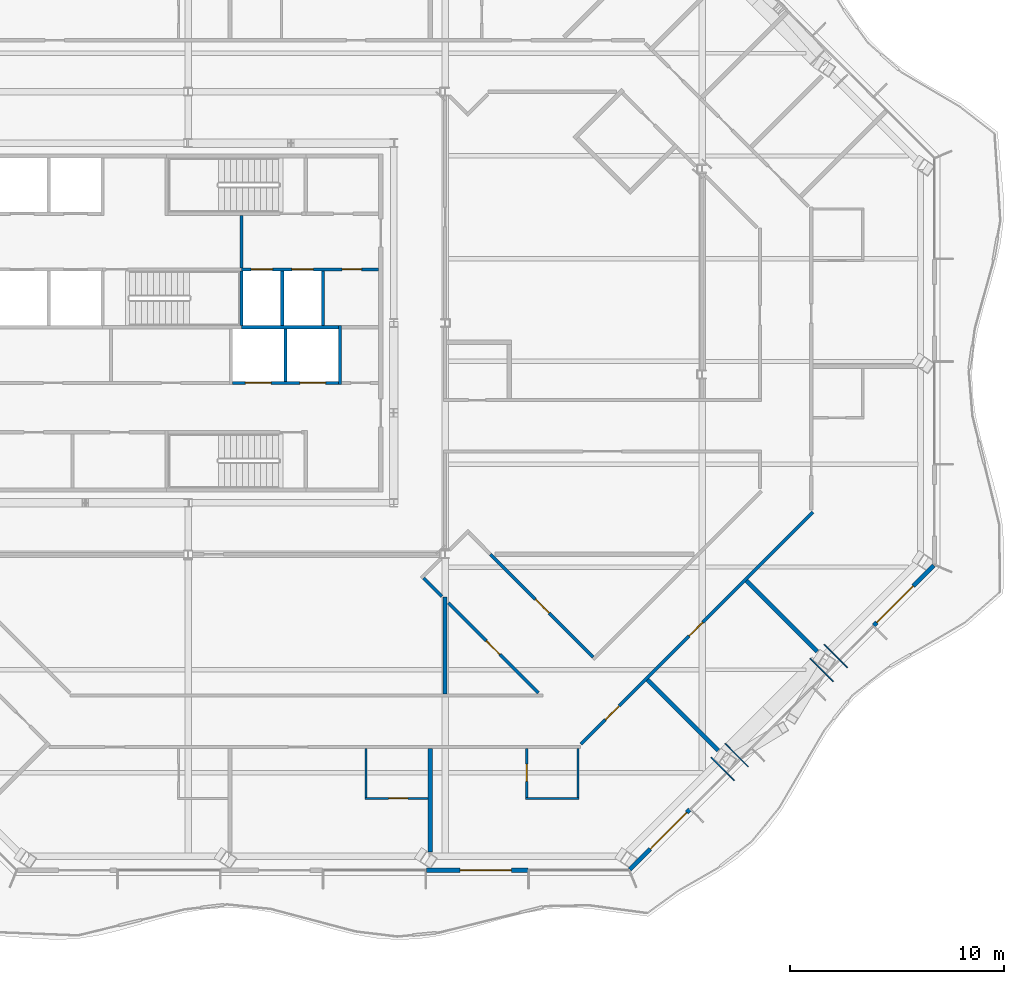
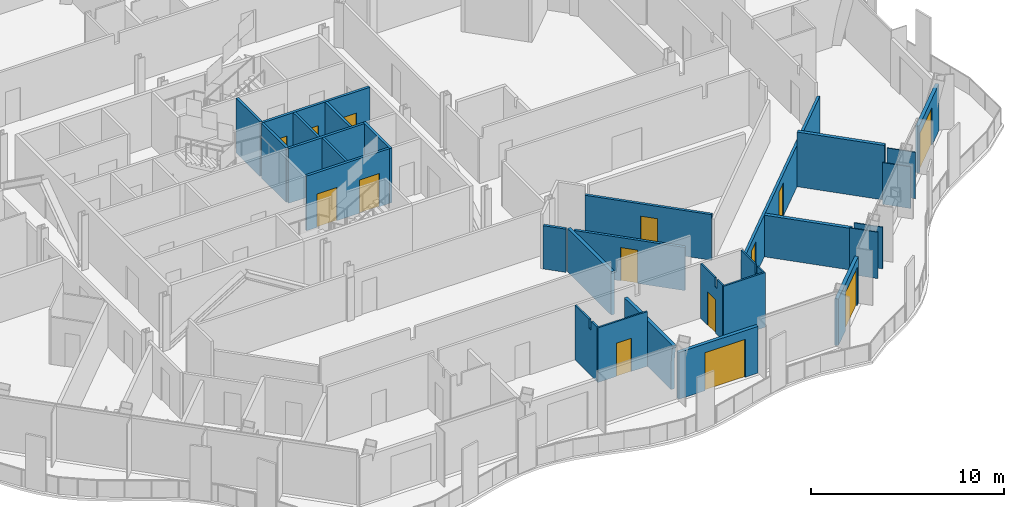
# One storey, part 10 of 19: 29 walls, 14 doors, 14 openings.
"""IFC4 building model written with IfcOpenShell, lengths in metres."""

from ifc_helpers import new_model, si_unit, direction, frame, frame_2d, origin, place, context, subcontext, project, spatial, polyline, rectangle, outline, extrude, material, layer, layer_set, type_object, element, fill, save


model = new_model("IFC4")

# Units and contexts
model_context = context("Model", 3, precision=1e-05, world=origin(), true_north=direction((0.0, 1.0)))
body_context = subcontext(model_context, "Body", "Model", "MODEL_VIEW")
ifc_project = project(units=[si_unit("LENGTHUNIT", "METRE"), si_unit("AREAUNIT", "SQUARE_METRE"), si_unit("VOLUMEUNIT", "CUBIC_METRE"), si_unit("PLANEANGLEUNIT", "RADIAN"), si_unit("MASSUNIT", "GRAM", prefix="KILO")], contexts=[model_context])

# Site, building, storey
site_placement = place(None, origin())
site = spatial("IfcSite", under=ifc_project, at=site_placement, CompositionType="ELEMENT")
building_placement = place(site_placement, origin())
building = spatial("IfcBuilding", under=site, at=building_placement, Name="Cairn Pilgrim Tower", CompositionType="ELEMENT")
storey_placement = place(building_placement, frame((0.0, 0.0, 193.800048828125)))
storey = spatial("IfcBuildingStorey", under=building, at=storey_placement, Name="L49", CompositionType="ELEMENT", Elevation=193.800048828125)

# Wall, opening, door
ifc_material_1 = material(Name="Bronze anodised aluminium insulated sandwich panel with mineral wool fill", Category="aluminium")
ifc_layer_1 = layer(ifc_material_1, 0.199951171875)
ifc_layer_set_1 = layer_set([ifc_layer_1], Name="BRONZE INFILL FRAME WALL 200")
wall_type_1 = type_object("IfcWallType", Name="BRONZE INFILL FRAME WALL 200", PredefinedType="NOTDEFINED", material=ifc_layer_set_1)
wall_1_placement = place(storey_placement, frame((18.330078125, -23.14990234375, 0.0), z_axis=(0.0, 0.0, 1.0), x_axis=(1.0, 0.0, 0.0)))
wall_1 = element("IfcWall", 1, at=wall_1_placement, inside=storey, type_object=wall_type_1, Name="Bronze infill frame wall IW-S5", PredefinedType="NOTDEFINED", context=body_context, shape_type="SweptSolid", body=[
    extrude(rectangle(XDim=4.739990234375, YDim=0.199951171875, at=frame_2d((2.3701171875, 0.0))), origin(), (0.0, 0.0, 1.0), 2.949951171875),
])
opening_1_placement = place(wall_1_placement, frame((1.5703125, 0.0, 0.0)))
opening_1 = element("IfcOpeningElement", 2, at=opening_1_placement, cuts=wall_1, Name="Opening 4902B", PredefinedType="OPENING", context=body_context, shape_type="SweptSolid", body=[
    extrude(rectangle(XDim=2.39990234375, YDim=2.39990234375, at=frame_2d((1.199951171875, 1.199951171875))), frame((0.0, 0.10986328125, 0.0), z_axis=(0.0, -1.0, 0.0), x_axis=(1.0, 0.0, 0.0)), (0.0, 0.0, 1.0), 0.219970703125),
])
ifc_material_2 = material(Name="Bronze anodised aluminium frame with tinted low-E glass", Category="aluminium")
door_type_1 = type_object("IfcDoorType", Name="BALCONY SLIDING DOOR 2400x2400", OperationType="DOUBLE_DOOR_SLIDING", PredefinedType="DOOR", material=ifc_material_2)
door_1_placement = place(opening_1_placement, origin())
door_1 = element("IfcDoor", 3, at=door_1_placement, inside=storey, type_object=door_type_1, Name="Balcony sliding door 4902B", OperationType="SINGLE_SWING_LEFT", OverallHeight=2.39990234375, OverallWidth=2.39990234375, PredefinedType="DOOR", context=body_context, shape_type="SweptSolid", body=[
    extrude(rectangle(XDim=2.39990234375, YDim=2.39990234375, at=frame_2d((1.199951171875, 1.199951171875))), frame((0.0, 0.02490234375, 0.0), z_axis=(0.0, -1.0, 0.0), x_axis=(1.0, 0.0, 0.0)), (0.0, 0.0, 1.0), 0.050048828125),
])
fill(opening_1, door_1)

wall_2_placement = place(storey_placement, frame((27.82470703125, -23.121826171875, 0.0), z_axis=(0.0, 0.0, 1.0), x_axis=(0.707106781187, 0.707106781187, 0.0)))
wall_2 = element("IfcWall", 4, at=wall_2_placement, inside=storey, type_object=wall_type_1, Name="Bronze infill frame wall IW-SE1", PredefinedType="NOTDEFINED", context=body_context, shape_type="SweptSolid", body=[
    extrude(rectangle(XDim=3.961669921875, YDim=0.199951171875, at=frame_2d((1.98095703125, 0.0))), origin(), (0.0, 0.0, 1.0), 2.949951171875),
])
opening_2_placement = place(wall_2_placement, frame((1.361572265625, 0.0, 0.0)))
opening_2 = element("IfcOpeningElement", 5, at=opening_2_placement, cuts=wall_2, Name="Opening 4902B2", PredefinedType="OPENING", context=body_context, shape_type="SweptSolid", body=[
    extrude(rectangle(XDim=2.39990234375, YDim=2.39990234375, at=frame_2d((1.199951171875, 1.199951171875))), frame((0.0, 0.10986328125, 0.0), z_axis=(0.0, -1.0, 0.0), x_axis=(1.0, 0.0, 0.0)), (0.0, 0.0, 1.0), 0.219970703125),
])
door_2_placement = place(opening_2_placement, origin())
door_2 = element("IfcDoor", 6, at=door_2_placement, inside=storey, type_object=door_type_1, Name="Balcony sliding door 4902B2", OperationType="SINGLE_SWING_LEFT", OverallHeight=2.39990234375, OverallWidth=2.39990234375, PredefinedType="DOOR", context=body_context, shape_type="SweptSolid", body=[
    extrude(rectangle(XDim=2.39990234375, YDim=2.39990234375, at=frame_2d((1.199951171875, 1.199951171875))), frame((0.0, 0.02490234375, 0.0), z_axis=(0.0, -1.0, 0.0), x_axis=(1.0, 0.0, 0.0)), (0.0, 0.0, 1.0), 0.050048828125),
])
fill(opening_2, door_2)

wall_3_placement = place(storey_placement, frame((39.220458984375, -11.725830078125, 0.0), z_axis=(0.0, 0.0, 1.0), x_axis=(0.707137595296, 0.707075965734, 0.0)))
wall_3 = element("IfcWall", 7, at=wall_3_placement, inside=storey, type_object=wall_type_1, Name="Bronze infill frame wall IW-SE5", PredefinedType="NOTDEFINED", context=body_context, shape_type="SweptSolid", body=[
    extrude(rectangle(XDim=3.96142578125, YDim=0.199951171875, at=frame_2d((1.980712890625, 0.0))), origin(), (0.0, 0.0, 1.0), 2.949951171875),
])
opening_3_placement = place(wall_3_placement, frame((0.199951171875, 0.0, 0.0)))
opening_3 = element("IfcOpeningElement", 8, at=opening_3_placement, cuts=wall_3, Name="Opening 4904B", PredefinedType="OPENING", context=body_context, shape_type="SweptSolid", body=[
    extrude(rectangle(XDim=2.39990234375, YDim=2.39990234375, at=frame_2d((1.199951171875, 1.199951171875))), frame((0.0, 0.10986328125, 0.0), z_axis=(0.0, -1.0, 0.0), x_axis=(1.0, 0.0, 0.0)), (0.0, 0.0, 1.0), 0.219970703125),
])
door_3_placement = place(opening_3_placement, origin())
door_3 = element("IfcDoor", 9, at=door_3_placement, inside=storey, type_object=door_type_1, Name="Balcony sliding door 4904B", OperationType="SINGLE_SWING_LEFT", OverallHeight=2.39990234375, OverallWidth=2.39990234375, PredefinedType="DOOR", context=body_context, shape_type="SweptSolid", body=[
    extrude(rectangle(XDim=2.39990234375, YDim=2.39990234375, at=frame_2d((1.199951171875, 1.199951171875))), frame((0.0, 0.02490234375, 0.0), z_axis=(0.0, -1.0, 0.0), x_axis=(1.0, 0.0, 0.0)), (0.0, 0.0, 1.0), 0.050048828125),
])
fill(opening_3, door_3)

# Wall, openings, doors
ifc_material_3 = material(Name="Concrete C32/40", Category="concrete")
ifc_layer_2 = layer(ifc_material_3, 0.14990234375)
ifc_layer_set_2 = layer_set([ifc_layer_2], Name="CORE SHAFT WALL 150 EI 120")
wall_type_2 = type_object("IfcWallType", Name="CORE SHAFT WALL 150 EI 120", PredefinedType="SOLIDWALL", material=ifc_layer_set_2)
wall_4_placement = place(storey_placement, frame((9.27490234375, -0.39990234375, 0.0), z_axis=(0.0, 0.0, 1.0), x_axis=(1.0, 0.0, 0.0)))
wall_4 = element("IfcWall", 10, at=wall_4_placement, inside=storey, type_object=wall_type_2, Name="CW:L49:H05", PredefinedType="SOLIDWALL", context=body_context, shape_type="SweptSolid", body=[
    extrude(rectangle(XDim=4.9501953125, YDim=0.14990234375, at=frame_2d((2.47509765625, 0.0))), origin(), (0.0, 0.0, 1.0), 3.449951171875),
])
opening_4_placement = place(wall_4_placement, frame((0.60009765625, 0.0, 0.0)))
opening_4 = element("IfcOpeningElement", 11, at=opening_4_placement, cuts=wall_4, Name="Opening LD-SV1", PredefinedType="OPENING", context=body_context, shape_type="SweptSolid", body=[
    extrude(rectangle(XDim=1.199951171875, YDim=2.10009765625, at=frame_2d((0.60009765625, 1.050048828125))), frame((0.0, 0.0849609375, 0.0), z_axis=(0.0, -1.0, 0.0), x_axis=(1.0, 0.0, 0.0)), (0.0, 0.0, 1.0), 0.169921875),
])
opening_5_placement = place(wall_4_placement, frame((3.14990234375, 0.0, 0.0)))
opening_5 = element("IfcOpeningElement", 12, at=opening_5_placement, cuts=wall_4, Name="Opening LD-SV2", PredefinedType="OPENING", context=body_context, shape_type="SweptSolid", body=[
    extrude(rectangle(XDim=1.199951171875, YDim=2.10009765625, at=frame_2d((0.60009765625, 1.050048828125))), frame((0.0, 0.0849609375, 0.0), z_axis=(0.0, -1.0, 0.0), x_axis=(1.0, 0.0, 0.0)), (0.0, 0.0, 1.0), 0.169921875),
])
ifc_material_4 = material(Name="Stainless steel", Category="steel")
door_type_2 = type_object("IfcDoorType", Name="LIFT LANDING DOOR 1200x2100", OperationType="DOUBLE_DOOR_SLIDING", PredefinedType="DOOR", material=ifc_material_4)
door_4_placement = place(opening_4_placement, origin())
door_4 = element("IfcDoor", 13, at=door_4_placement, inside=storey, type_object=door_type_2, Name="LANDING DOOR SV1", OperationType="DOUBLE_DOOR_SLIDING", OverallHeight=2.10009765625, OverallWidth=1.199951171875, PredefinedType="DOOR", context=body_context, shape_type="SweptSolid", body=[
    extrude(rectangle(XDim=1.199951171875, YDim=2.10009765625, at=frame_2d((0.60009765625, 1.050048828125))), frame((0.0, 0.02490234375, 0.0), z_axis=(0.0, -1.0, 0.0), x_axis=(1.0, 0.0, 0.0)), (0.0, 0.0, 1.0), 0.050048828125),
])
fill(opening_4, door_4)
door_5_placement = place(opening_5_placement, origin())
door_5 = element("IfcDoor", 14, at=door_5_placement, inside=storey, type_object=door_type_2, Name="LANDING DOOR SV2", OperationType="DOUBLE_DOOR_SLIDING", OverallHeight=2.10009765625, OverallWidth=1.199951171875, PredefinedType="DOOR", context=body_context, shape_type="SweptSolid", body=[
    extrude(rectangle(XDim=1.199951171875, YDim=2.10009765625, at=frame_2d((0.60009765625, 1.050048828125))), frame((0.0, 0.02490234375, 0.0), z_axis=(0.0, -1.0, 0.0), x_axis=(1.0, 0.0, 0.0)), (0.0, 0.0, 1.0), 0.050048828125),
])
fill(opening_5, door_5)

# Wall
wall_5_placement = place(storey_placement, frame((9.699951171875, 2.199951171875, 0.0), z_axis=(0.0, 0.0, 1.0), x_axis=(1.0, 0.0, 0.0)))
element("IfcWall", 15, at=wall_5_placement, inside=storey, type_object=wall_type_2, Name="CW:L49:H07-3", PredefinedType="SOLIDWALL", context=body_context, shape_type="SweptSolid", body=[
    extrude(rectangle(XDim=4.525146484375, YDim=0.14990234375, at=frame_2d((2.2626953125, 0.0))), origin(), (0.0, 0.0, 1.0), 3.449951171875),
])

# Wall, openings, doors
wall_6_placement = place(storey_placement, frame((9.699951171875, 4.89990234375, 0.0), z_axis=(0.0, 0.0, 1.0), x_axis=(1.0, 0.0, 0.0)))
wall_6 = element("IfcWall", 16, at=wall_6_placement, inside=storey, type_object=wall_type_2, Name="CW:L49:H09-3", PredefinedType="SOLIDWALL", context=body_context, shape_type="SweptSolid", body=[
    extrude(rectangle(XDim=6.400146484375, YDim=0.14990234375, at=frame_2d((3.2001953125, 0.0))), origin(), (0.0, 0.0, 1.0), 3.449951171875),
])
opening_6_placement = place(wall_6_placement, frame((0.449951171875, 0.0, 0.0)))
opening_6 = element("IfcOpeningElement", 17, at=opening_6_placement, cuts=wall_6, Name="Opening LD-FF1", PredefinedType="OPENING", context=body_context, shape_type="SweptSolid", body=[
    extrude(rectangle(XDim=1.0, YDim=2.10009765625, at=frame_2d((0.5, 1.050048828125))), frame((0.0, 0.0849609375, 0.0), z_axis=(0.0, -1.0, 0.0), x_axis=(1.0, 0.0, 0.0)), (0.0, 0.0, 1.0), 0.169921875),
])
opening_7_placement = place(wall_6_placement, frame((2.35009765625, 0.0, 0.0)))
opening_7 = element("IfcOpeningElement", 18, at=opening_7_placement, cuts=wall_6, Name="Opening LD-FF2", PredefinedType="OPENING", context=body_context, shape_type="SweptSolid", body=[
    extrude(rectangle(XDim=1.0, YDim=2.10009765625, at=frame_2d((0.5, 1.050048828125))), frame((0.0, 0.0849609375, 0.0), z_axis=(0.0, -1.0, 0.0), x_axis=(1.0, 0.0, 0.0)), (0.0, 0.0, 1.0), 0.169921875),
])
opening_8_placement = place(wall_6_placement, frame((4.699951171875, 0.0, 0.0)))
opening_8 = element("IfcOpeningElement", 19, at=opening_8_placement, cuts=wall_6, Name="Opening RD-R3E", PredefinedType="OPENING", context=body_context, shape_type="SweptSolid", body=[
    extrude(rectangle(XDim=0.89990234375, YDim=2.10009765625, at=frame_2d((0.449951171875, 1.050048828125))), frame((0.0, 0.0849609375, 0.0), z_axis=(0.0, -1.0, 0.0), x_axis=(1.0, 0.0, 0.0)), (0.0, 0.0, 1.0), 0.169921875),
])
door_type_3 = type_object("IfcDoorType", Name="LIFT LANDING DOOR FIRE 1000x2100", OperationType="DOUBLE_DOOR_SLIDING", PredefinedType="DOOR", material=ifc_material_4)
door_6_placement = place(opening_6_placement, origin())
door_6 = element("IfcDoor", 20, at=door_6_placement, inside=storey, type_object=door_type_3, Name="LANDING DOOR FF1", OperationType="DOUBLE_DOOR_SLIDING", OverallHeight=2.10009765625, OverallWidth=1.0, PredefinedType="DOOR", context=body_context, shape_type="SweptSolid", body=[
    extrude(rectangle(XDim=1.0, YDim=2.10009765625, at=frame_2d((0.5, 1.050048828125))), frame((0.0, 0.02490234375, 0.0), z_axis=(0.0, -1.0, 0.0), x_axis=(1.0, 0.0, 0.0)), (0.0, 0.0, 1.0), 0.050048828125),
])
fill(opening_6, door_6)
door_7_placement = place(opening_7_placement, origin())
door_7 = element("IfcDoor", 21, at=door_7_placement, inside=storey, type_object=door_type_3, Name="LANDING DOOR FF2", OperationType="DOUBLE_DOOR_SLIDING", OverallHeight=2.10009765625, OverallWidth=1.0, PredefinedType="DOOR", context=body_context, shape_type="SweptSolid", body=[
    extrude(rectangle(XDim=1.0, YDim=2.10009765625, at=frame_2d((0.5, 1.050048828125))), frame((0.0, 0.02490234375, 0.0), z_axis=(0.0, -1.0, 0.0), x_axis=(1.0, 0.0, 0.0)), (0.0, 0.0, 1.0), 0.050048828125),
])
fill(opening_7, door_7)
ifc_material_5 = material(Name="Painted steel", Category="steel")
door_type_4 = type_object("IfcDoorType", Name="SERVICE ROOM DOOR 900x2100", OperationType="SINGLE_SWING_LEFT", PredefinedType="DOOR", material=ifc_material_5)
door_8_placement = place(opening_8_placement, origin())
door_8 = element("IfcDoor", 22, at=door_8_placement, inside=storey, type_object=door_type_4, Name="RD-R3E", OperationType="SINGLE_SWING_LEFT", OverallHeight=2.10009765625, OverallWidth=0.89990234375, PredefinedType="DOOR", context=body_context, shape_type="SweptSolid", body=[
    extrude(rectangle(XDim=0.89990234375, YDim=2.10009765625, at=frame_2d((0.449951171875, 1.050048828125))), frame((0.0, 0.02490234375, 0.0), z_axis=(0.0, -1.0, 0.0), x_axis=(1.0, 0.0, 0.0)), (0.0, 0.0, 1.0), 0.050048828125),
])
fill(opening_8, door_8)

# Walls
wall_7_placement = place(storey_placement, frame((9.699951171875, 4.97509765625, 0.0), z_axis=(0.0, 0.0, 1.0), x_axis=(0.0, 1.0, 0.0)))
element("IfcWall", 23, at=wall_7_placement, inside=storey, type_object=wall_type_2, Name="CW:L49:V24", PredefinedType="SOLIDWALL", context=body_context, shape_type="SweptSolid", body=[
    extrude(rectangle(XDim=2.449951171875, YDim=0.14990234375, at=frame_2d((1.22509765625, 0.0))), origin(), (0.0, 0.0, 1.0), 3.449951171875),
])
wall_8_placement = place(storey_placement, frame((11.60009765625, 2.27490234375, 0.0), z_axis=(0.0, 0.0, 1.0), x_axis=(0.0, 1.0, 0.0)))
element("IfcWall", 24, at=wall_8_placement, inside=storey, type_object=wall_type_2, Name="CW:L49:V25", PredefinedType="SOLIDWALL", context=body_context, shape_type="SweptSolid", body=[
    extrude(rectangle(XDim=2.550048828125, YDim=0.14990234375, at=frame_2d((1.27490234375, 0.0))), origin(), (0.0, 0.0, 1.0), 3.449951171875),
])
wall_9_placement = place(storey_placement, frame((11.75, -0.324951171875, 0.0), z_axis=(0.0, 0.0, 1.0), x_axis=(0.0, 1.0, 0.0)))
element("IfcWall", 25, at=wall_9_placement, inside=storey, type_object=wall_type_2, Name="CW:L49:V26", PredefinedType="SOLIDWALL", context=body_context, shape_type="SweptSolid", body=[
    extrude(rectangle(XDim=2.449951171875, YDim=0.14990234375, at=frame_2d((1.22509765625, 0.0))), origin(), (0.0, 0.0, 1.0), 3.449951171875),
])
wall_10_placement = place(storey_placement, frame((13.5, 2.27490234375, 0.0), z_axis=(0.0, 0.0, 1.0), x_axis=(0.0, 1.0, 0.0)))
element("IfcWall", 26, at=wall_10_placement, inside=storey, type_object=wall_type_2, Name="CW:L49:V29", PredefinedType="SOLIDWALL", context=body_context, shape_type="SweptSolid", body=[
    extrude(rectangle(XDim=2.550048828125, YDim=0.14990234375, at=frame_2d((1.27490234375, 0.0))), origin(), (0.0, 0.0, 1.0), 3.449951171875),
])
wall_11_placement = place(storey_placement, frame((14.300048828125, -0.47509765625, 0.0), z_axis=(0.0, 0.0, 1.0), x_axis=(0.0, 1.0, 0.0)))
element("IfcWall", 27, at=wall_11_placement, inside=storey, type_object=wall_type_2, Name="CW:L49:V30", PredefinedType="SOLIDWALL", context=body_context, shape_type="SweptSolid", body=[
    extrude(rectangle(XDim=2.75, YDim=0.14990234375, at=frame_2d((1.375, 0.0))), origin(), (0.0, 0.0, 1.0), 3.449951171875),
])

# Wall, opening, door
ifc_material_6 = material(Name="Gypsum partition")
ifc_layer_3 = layer(ifc_material_6, 0.10009765625)
ifc_layer_set_3 = layer_set([ifc_layer_3], Name="PARTITION 100 DRYWALL")
wall_type_3 = type_object("IfcWallType", Name="PARTITION 100 DRYWALL", PredefinedType="PARTITIONING", material=ifc_layer_set_3)
wall_12_placement = place(storey_placement, frame((15.462890625, -19.800048828125, 0.0), z_axis=(0.0, 0.0, 1.0), x_axis=(1.0, 0.0, 0.0)))
wall_12 = element("IfcWall", 28, at=wall_12_placement, inside=storey, type_object=wall_type_3, Name="PARTITION W006", PredefinedType="PARTITIONING", context=body_context, shape_type="SweptSolid", body=[
    extrude(rectangle(XDim=2.9501953125, YDim=0.10009765625, at=frame_2d((1.47509765625, 0.0))), origin(), (0.0, 0.0, 1.0), 3.449951171875),
])
opening_9_placement = place(wall_12_placement, frame((1.10009765625, 0.0, 0.0)))
opening_9 = element("IfcOpeningElement", 29, at=opening_9_placement, cuts=wall_12, Name="Opening 4901A", PredefinedType="OPENING", context=body_context, shape_type="SweptSolid", body=[
    extrude(rectangle(XDim=0.89990234375, YDim=2.10009765625, at=frame_2d((0.449951171875, 1.050048828125))), frame((0.0, 0.06005859375, 0.0), z_axis=(0.0, -1.0, 0.0), x_axis=(1.0, 0.0, 0.0)), (0.0, 0.0, 1.0), 0.1201171875),
])
ifc_material_7 = material(Name="Timber door leaf", Category="wood")
door_type_5 = type_object("IfcDoorType", Name="WC DOOR 900x2100", OperationType="NOTDEFINED", PredefinedType="DOOR", material=ifc_material_7)
door_9_placement = place(opening_9_placement, frame((0.89990234375, 0.0, 0.0), z_axis=(0.0, 0.0, 1.0), x_axis=(-1.0, 0.0, 0.0)))
door_9 = element("IfcDoor", 30, at=door_9_placement, inside=storey, type_object=door_type_5, Name="DOOR 4901A", OperationType="SINGLE_SWING_RIGHT", OverallHeight=2.10009765625, OverallWidth=0.89990234375, PredefinedType="DOOR", context=body_context, shape_type="SweptSolid", body=[
    extrude(rectangle(XDim=0.89990234375, YDim=2.10009765625, at=frame_2d((0.449951171875, 1.050048828125))), frame((0.0, 0.02490234375, 0.0), z_axis=(0.0, -1.0, 0.0), x_axis=(1.0, 0.0, 0.0)), (0.0, 0.0, 1.0), 0.050048828125),
])
fill(opening_9, door_9)

# Walls
wall_13_placement = place(storey_placement, frame((15.512939453125, -19.75, 0.0), z_axis=(0.0, 0.0, 1.0), x_axis=(0.0, 1.0, 0.0)))
element("IfcWall", 31, at=wall_13_placement, inside=storey, type_object=wall_type_3, Name="PARTITION W007", PredefinedType="PARTITIONING", context=body_context, shape_type="SweptSolid", body=[
    extrude(outline(polyline([(0.0, 0.0), (2.27490234375, 0.0), (2.27490234375, 3.449951171875), (0.804931640625, 3.449951171875), (0.802978515625, 2.8798828125), (0.594970703125, 2.8798828125), (0.593017578125, 3.449951171875), (0.0, 3.449951171875), (0.0, 0.0)])), frame((0.0, 0.050048828125, 0.0), z_axis=(0.0, -1.0, 0.0), x_axis=(1.0, 0.0, 0.0)), (0.0, 0.0, 1.0), 0.10009765625),
])
wall_14_placement = place(storey_placement, frame((22.965087890625, -19.800048828125, 0.0), z_axis=(0.0, 0.0, 1.0), x_axis=(1.0, 0.0, 0.0)))
element("IfcWall", 32, at=wall_14_placement, inside=storey, type_object=wall_type_3, Name="PARTITION W008", PredefinedType="PARTITIONING", context=body_context, shape_type="SweptSolid", body=[
    extrude(rectangle(XDim=2.5, YDim=0.10009765625, at=frame_2d((1.25, 0.0))), origin(), (0.0, 0.0, 1.0), 3.449951171875),
])

# Wall, opening, door
wall_15_placement = place(storey_placement, frame((23.014892578125, -19.75, 0.0), z_axis=(0.0, 0.0, 1.0), x_axis=(0.0, 1.0, 0.0)))
wall_15 = element("IfcWall", 33, at=wall_15_placement, inside=storey, type_object=wall_type_3, Name="PARTITION W009", PredefinedType="PARTITIONING", context=body_context, shape_type="SweptSolid", body=[
    extrude(outline(polyline([(0.0, 0.0), (2.27490234375, 0.0), (2.27490234375, 3.449951171875), (0.804931640625, 3.449951171875), (0.802978515625, 2.8798828125), (0.594970703125, 2.8798828125), (0.593017578125, 3.449951171875), (0.0, 3.449951171875), (0.0, 0.0)])), frame((0.0, 0.050048828125, 0.0), z_axis=(0.0, -1.0, 0.0), x_axis=(1.0, 0.0, 0.0)), (0.0, 0.0, 1.0), 0.10009765625),
])
opening_10_placement = place(wall_15_placement, frame((0.75, 0.0, 0.0)))
opening_10 = element("IfcOpeningElement", 34, at=opening_10_placement, cuts=wall_15, Name="Opening 4902A", PredefinedType="OPENING", context=body_context, shape_type="SweptSolid", body=[
    extrude(rectangle(XDim=0.800048828125, YDim=2.10009765625, at=frame_2d((0.39990234375, 1.050048828125))), frame((0.0, 0.06005859375, 0.0), z_axis=(0.0, -1.0, 0.0), x_axis=(1.0, 0.0, 0.0)), (0.0, 0.0, 1.0), 0.1201171875),
])
door_type_6 = type_object("IfcDoorType", Name="WC DOOR 800x2100", OperationType="NOTDEFINED", PredefinedType="DOOR", material=ifc_material_7)
door_10_placement = place(opening_10_placement, origin())
door_10 = element("IfcDoor", 35, at=door_10_placement, inside=storey, type_object=door_type_6, Name="DOOR 4902A", OperationType="SINGLE_SWING_RIGHT", OverallHeight=2.10009765625, OverallWidth=0.800048828125, PredefinedType="DOOR", context=body_context, shape_type="SweptSolid", body=[
    extrude(rectangle(XDim=0.800048828125, YDim=2.10009765625, at=frame_2d((0.39990234375, 1.050048828125))), frame((0.0, 0.02490234375, 0.0), z_axis=(0.0, -1.0, 0.0), x_axis=(1.0, 0.0, 0.0)), (0.0, 0.0, 1.0), 0.050048828125),
])
fill(opening_10, door_10)

# Wall
wall_16_placement = place(storey_placement, frame((25.4150390625, -19.75, 0.0), z_axis=(0.0, 0.0, 1.0), x_axis=(0.0, 1.0, 0.0)))
element("IfcWall", 36, at=wall_16_placement, inside=storey, type_object=wall_type_3, Name="PARTITION W010", PredefinedType="PARTITIONING", context=body_context, shape_type="SweptSolid", body=[
    extrude(outline(polyline([(0.0, 0.0), (2.27490234375, 0.0), (2.27490234375, 3.449951171875), (0.804931640625, 3.449951171875), (0.802978515625, 2.8798828125), (0.594970703125, 2.8798828125), (0.593017578125, 3.449951171875), (0.0, 3.449951171875), (0.0, 0.0)])), frame((0.0, 0.050048828125, 0.0), z_axis=(0.0, -1.0, 0.0), x_axis=(1.0, 0.0, 0.0)), (0.0, 0.0, 1.0), 0.10009765625),
])

# Wall, openings, doors
ifc_layer_4 = layer(ifc_material_6, 0.14990234375)
ifc_layer_set_4 = layer_set([ifc_layer_4], Name="PARTITION 150 DRYWALL EI 60")
wall_type_4 = type_object("IfcWallType", Name="PARTITION 150 DRYWALL EI 60", PredefinedType="PARTITIONING", material=ifc_layer_set_4)
wall_17_placement = place(storey_placement, frame((25.54296875, -17.27197265625, 0.0), z_axis=(0.0, 0.0, 1.0), x_axis=(0.707106781187, 0.707106781187, 0.0)))
wall_17 = element("IfcWall", 37, at=wall_17_placement, inside=storey, type_object=wall_type_4, Name="PARTITION W015", PredefinedType="PARTITIONING", context=body_context, shape_type="SweptSolid", body=[
    extrude(rectangle(XDim=15.31884765625, YDim=0.14990234375, at=frame_2d((7.659423828125, 0.0))), origin(), (0.0, 0.0, 1.0), 2.6298828125),
])
opening_11_placement = place(wall_17_placement, frame((1.623046875, 0.0, 0.0)))
opening_11 = element("IfcOpeningElement", 38, at=opening_11_placement, cuts=wall_17, Name="Opening 4902", PredefinedType="OPENING", context=body_context, shape_type="SweptSolid", body=[
    extrude(rectangle(XDim=0.89990234375, YDim=2.10009765625, at=frame_2d((0.449951171875, 1.050048828125))), frame((0.0, 0.0849609375, 0.0), z_axis=(0.0, -1.0, 0.0), x_axis=(1.0, 0.0, 0.0)), (0.0, 0.0, 1.0), 0.169921875),
])
opening_12_placement = place(wall_17_placement, frame((7.145263671875, 0.0, 0.0)))
opening_12 = element("IfcOpeningElement", 39, at=opening_12_placement, cuts=wall_17, Name="Opening 4903", PredefinedType="OPENING", context=body_context, shape_type="SweptSolid", body=[
    extrude(rectangle(XDim=0.89990234375, YDim=2.10009765625, at=frame_2d((0.449951171875, 1.050048828125))), frame((0.0, 0.0849609375, 0.0), z_axis=(0.0, -1.0, 0.0), x_axis=(1.0, 0.0, 0.0)), (0.0, 0.0, 1.0), 0.169921875),
])
door_type_7 = type_object("IfcDoorType", Name="ROOM DOOR 900x2100 FD30S", OperationType="NOTDEFINED", PredefinedType="DOOR", material=ifc_material_7)
door_11_placement = place(opening_11_placement, frame((0.89990234375, 0.0, 0.0), z_axis=(0.0, 0.0, 1.0), x_axis=(-1.0, 0.0, 0.0)))
door_11 = element("IfcDoor", 40, at=door_11_placement, inside=storey, type_object=door_type_7, Name="DOOR 4902", OperationType="SINGLE_SWING_RIGHT", OverallHeight=2.10009765625, OverallWidth=0.89990234375, PredefinedType="DOOR", context=body_context, shape_type="SweptSolid", body=[
    extrude(rectangle(XDim=0.89990234375, YDim=2.10009765625, at=frame_2d((0.449951171875, 1.050048828125))), frame((0.0, 0.02490234375, 0.0), z_axis=(0.0, -1.0, 0.0), x_axis=(1.0, 0.0, 0.0)), (0.0, 0.0, 1.0), 0.050048828125),
])
fill(opening_11, door_11)
door_type_8 = type_object("IfcDoorType", Name="SERVICE DOOR 900x2100 FD30S", OperationType="NOTDEFINED", PredefinedType="DOOR", material=ifc_material_7)
door_12_placement = place(opening_12_placement, frame((0.89990234375, 0.0, 0.0), z_axis=(0.0, 0.0, 1.0), x_axis=(-1.0, 0.0, 0.0)))
door_12 = element("IfcDoor", 41, at=door_12_placement, inside=storey, type_object=door_type_8, Name="DOOR 4903", OperationType="SINGLE_SWING_RIGHT", OverallHeight=2.10009765625, OverallWidth=0.89990234375, PredefinedType="DOOR", context=body_context, shape_type="SweptSolid", body=[
    extrude(rectangle(XDim=0.89990234375, YDim=2.10009765625, at=frame_2d((0.449951171875, 1.050048828125))), frame((0.0, 0.02490234375, 0.0), z_axis=(0.0, -1.0, 0.0), x_axis=(1.0, 0.0, 0.0)), (0.0, 0.0, 1.0), 0.050048828125),
])
fill(opening_12, door_12)

# Wall, opening, door
wall_18_placement = place(storey_placement, frame((23.551025390625, -14.8720703125, 0.0), z_axis=(0.0, 0.0, 1.0), x_axis=(-0.707106781187, 0.707106781187, 0.0)))
wall_18 = element("IfcWall", 42, at=wall_18_placement, inside=storey, type_object=wall_type_4, Name="PARTITION W022", PredefinedType="PARTITIONING", context=body_context, shape_type="SweptSolid", body=[
    extrude(rectangle(XDim=5.936767578125, YDim=0.14990234375, at=frame_2d((2.96826171875, 0.0))), origin(), (0.0, 0.0, 1.0), 2.72998046875),
])
opening_13_placement = place(wall_18_placement, frame((2.535888671875, 0.0, 0.0)))
opening_13 = element("IfcOpeningElement", 43, at=opening_13_placement, cuts=wall_18, Name="Opening 4923", PredefinedType="OPENING", context=body_context, shape_type="SweptSolid", body=[
    extrude(rectangle(XDim=0.89990234375, YDim=2.10009765625, at=frame_2d((0.449951171875, 1.050048828125))), frame((0.0, 0.0849609375, 0.0), z_axis=(0.0, -1.0, 0.0), x_axis=(1.0, 0.0, 0.0)), (0.0, 0.0, 1.0), 0.169921875),
])
door_13_placement = place(opening_13_placement, origin())
door_13 = element("IfcDoor", 44, at=door_13_placement, inside=storey, type_object=door_type_8, Name="DOOR 4923", OperationType="SINGLE_SWING_RIGHT", OverallHeight=2.10009765625, OverallWidth=0.89990234375, PredefinedType="DOOR", context=body_context, shape_type="SweptSolid", body=[
    extrude(rectangle(XDim=0.89990234375, YDim=2.10009765625, at=frame_2d((0.449951171875, 1.050048828125))), frame((0.0, 0.02490234375, 0.0), z_axis=(0.0, -1.0, 0.0), x_axis=(1.0, 0.0, 0.0)), (0.0, 0.0, 1.0), 0.050048828125),
])
fill(opening_13, door_13)

wall_19_placement = place(storey_placement, frame((26.117919921875, -13.197021484375, 0.0), z_axis=(0.0, 0.0, 1.0), x_axis=(-0.707088787045, 0.70712477487, 0.0)))
wall_19 = element("IfcWall", 45, at=wall_19_placement, inside=storey, type_object=wall_type_4, Name="PARTITION W026", PredefinedType="PARTITIONING", context=body_context, shape_type="SweptSolid", body=[
    extrude(rectangle(XDim=6.783935546875, YDim=0.14990234375, at=frame_2d((3.39208984375, 0.0))), origin(), (0.0, 0.0, 1.0), 2.8798828125),
])
opening_14_placement = place(wall_19_placement, frame((2.905029296875, 0.0, 0.0)))
opening_14 = element("IfcOpeningElement", 46, at=opening_14_placement, cuts=wall_19, Name="Opening 4924", PredefinedType="OPENING", context=body_context, shape_type="SweptSolid", body=[
    extrude(rectangle(XDim=0.89990234375, YDim=2.10009765625, at=frame_2d((0.449951171875, 1.050048828125))), frame((0.0, 0.0849609375, 0.0), z_axis=(0.0, -1.0, 0.0), x_axis=(1.0, 0.0, 0.0)), (0.0, 0.0, 1.0), 0.169921875),
])
door_14_placement = place(opening_14_placement, frame((0.89990234375, 0.0, 0.0), z_axis=(0.0, 0.0, 1.0), x_axis=(-1.0, 0.0, 0.0)))
door_14 = element("IfcDoor", 47, at=door_14_placement, inside=storey, type_object=door_type_8, Name="DOOR 4924", OperationType="SINGLE_SWING_RIGHT", OverallHeight=2.10009765625, OverallWidth=0.89990234375, PredefinedType="DOOR", context=body_context, shape_type="SweptSolid", body=[
    extrude(rectangle(XDim=0.89990234375, YDim=2.10009765625, at=frame_2d((0.449951171875, 1.050048828125))), frame((0.0, 0.02490234375, 0.0), z_axis=(0.0, -1.0, 0.0), x_axis=(1.0, 0.0, 0.0)), (0.0, 0.0, 1.0), 0.050048828125),
])
fill(opening_14, door_14)

# Walls
wall_20_placement = place(storey_placement, frame((19.047119140625, -10.3681640625, 0.0), z_axis=(0.0, 0.0, 1.0), x_axis=(-0.707409718716, 0.706803713817, 0.0)))
element("IfcWall", 48, at=wall_20_placement, inside=storey, type_object=wall_type_4, Name="PARTITION W031", PredefinedType="PARTITIONING", context=body_context, shape_type="SweptSolid", body=[
    extrude(rectangle(XDim=1.20849609375, YDim=0.14990234375, at=frame_2d((0.604248046875, 0.0))), origin(), (0.0, 0.0, 1.0), 2.72998046875),
])
ifc_layer_5 = layer(ifc_material_6, 0.050048828125)
ifc_layer_set_5 = layer_set([ifc_layer_5], Name="PARTITION 50 DRYWALL EI 60")
wall_type_5 = type_object("IfcWallType", Name="PARTITION 50 DRYWALL EI 60", PredefinedType="PARTITIONING", material=ifc_layer_set_5)
wall_21_placement = place(storey_placement, frame((32.700439453125, -18.96142578125, 0.0), z_axis=(0.0, 0.0, 1.0), x_axis=(-0.707026268033, 0.707187285174, 0.0)))
element("IfcWall", 49, at=wall_21_placement, inside=storey, type_object=wall_type_5, Name="COLUMN CASING WC03", PredefinedType="PARTITIONING", context=body_context, shape_type="SweptSolid", body=[
    extrude(rectangle(XDim=1.516357421875, YDim=0.050048828125, at=frame_2d((0.75830078125, 0.0))), origin(), (0.0, 0.0, 1.0), 2.929931640625),
])
wall_22_placement = place(storey_placement, frame((33.349609375, -18.312255859375, 0.0), z_axis=(0.0, 0.0, 1.0), x_axis=(-0.707026268033, 0.707187285174, 0.0)))
element("IfcWall", 50, at=wall_22_placement, inside=storey, type_object=wall_type_5, Name="COLUMN CASING WC04", PredefinedType="PARTITIONING", context=body_context, shape_type="SweptSolid", body=[
    extrude(rectangle(XDim=1.516357421875, YDim=0.050048828125, at=frame_2d((0.75830078125, 0.0))), origin(), (0.0, 0.0, 1.0), 2.6298828125),
])
wall_23_placement = place(storey_placement, frame((37.973876953125, -13.68798828125, 0.0), z_axis=(0.0, 0.0, 1.0), x_axis=(-0.707026268033, 0.707187285174, 0.0)))
element("IfcWall", 51, at=wall_23_placement, inside=storey, type_object=wall_type_5, Name="COLUMN CASING WC07", PredefinedType="PARTITIONING", context=body_context, shape_type="SweptSolid", body=[
    extrude(rectangle(XDim=1.516357421875, YDim=0.050048828125, at=frame_2d((0.75830078125, 0.0))), origin(), (0.0, 0.0, 1.0), 2.929931640625),
])
wall_24_placement = place(storey_placement, frame((37.32470703125, -14.33740234375, 0.0), z_axis=(0.0, 0.0, 1.0), x_axis=(-0.707026286363, 0.707187266848, 0.0)))
element("IfcWall", 52, at=wall_24_placement, inside=storey, type_object=wall_type_5, Name="COLUMN CASING WC08", PredefinedType="PARTITIONING", context=body_context, shape_type="SweptSolid", body=[
    extrude(rectangle(XDim=1.5166015625, YDim=0.050048828125, at=frame_2d((0.75830078125, 0.0))), origin(), (0.0, 0.0, 1.0), 2.6298828125),
])
ifc_layer_6 = layer(ifc_material_6, 0.199951171875)
ifc_layer_set_6 = layer_set([ifc_layer_6], Name="SHAFT WALL 200 GYPSUM EI 60")
wall_type_6 = type_object("IfcWallType", Name="SHAFT WALL 200 GYPSUM EI 60", PredefinedType="PARTITIONING", material=ifc_layer_set_6)
wall_25_placement = place(storey_placement, frame((18.512939453125, -22.752197265625, 0.0), z_axis=(0.0, 0.0, 1.0), x_axis=(0.0, 1.0, 0.0)))
element("IfcWall", 53, at=wall_25_placement, inside=storey, type_object=wall_type_6, Name="PARTITION W002", PredefinedType="PARTITIONING", context=body_context, shape_type="SweptSolid", body=[
    extrude(outline(polyline([(0.45458984375, 0.0), (5.277099609375, 0.0), (5.277099609375, 0.862548828125), (5.277099609375, 1.724853515625), (5.277099609375, 2.58740234375), (5.277099609375, 2.8798828125), (0.21826171875, 2.8798828125), (0.330078125, 2.58740234375), (0.43798828125, 1.724853515625), (0.45458984375, 0.862548828125), (0.45458984375, 0.0)])), frame((0.0, 0.10009765625, 0.0), z_axis=(0.0, -1.0, 0.0), x_axis=(1.0, 0.0, 0.0)), (0.0, 0.0, 1.0), 0.199951171875),
])
wall_26_placement = place(storey_placement, frame((31.952880859375, -17.564697265625, 0.0), z_axis=(0.0, 0.0, 1.0), x_axis=(-0.707028264657, 0.707185288998, 0.0)))
element("IfcWall", 54, at=wall_26_placement, inside=storey, type_object=wall_type_6, Name="PARTITION W013", PredefinedType="PARTITIONING", context=body_context, shape_type="SweptSolid", body=[
    extrude(rectangle(XDim=4.664306640625, YDim=0.199951171875, at=frame_2d((2.33203125, 0.0))), origin(), (0.0, 0.0, 1.0), 2.6298828125),
])
wall_27_placement = place(storey_placement, frame((19.199951171875, -14.925048828125, 0.0), z_axis=(0.0, 0.0, 1.0), x_axis=(0.0, 1.0, 0.0)))
element("IfcWall", 55, at=wall_27_placement, inside=storey, type_object=wall_type_6, Name="PARTITION W021", PredefinedType="PARTITIONING", context=body_context, shape_type="SweptSolid", body=[
    extrude(rectangle(XDim=4.5205078125, YDim=0.199951171875, at=frame_2d((2.26025390625, 0.0))), origin(), (0.0, 0.0, 1.0), 2.72998046875),
])
wall_28_placement = place(storey_placement, frame((36.576904296875, -12.940673828125, 0.0), z_axis=(0.0, 0.0, 1.0), x_axis=(-0.707028264657, 0.707185288998, 0.0)))
element("IfcWall", 56, at=wall_28_placement, inside=storey, type_object=wall_type_6, Name="PARTITION W027", PredefinedType="PARTITIONING", context=body_context, shape_type="SweptSolid", body=[
    extrude(rectangle(XDim=4.664306640625, YDim=0.199951171875, at=frame_2d((2.33203125, 0.0))), origin(), (0.0, 0.0, 1.0), 3.449951171875),
])
ifc_material_8 = material(Name="Concrete C35/45", Category="concrete")
ifc_layer_7 = layer(ifc_material_8, 0.14990234375)
ifc_layer_set_7 = layer_set([ifc_layer_7], Name="STAIR SHAFT WALL 150 EI 120")
wall_type_7 = type_object("IfcWallType", Name="STAIR SHAFT WALL 150 EI 120", PredefinedType="SOLIDWALL", material=ifc_layer_set_7)
wall_29_placement = place(storey_placement, frame((9.699951171875, 2.27490234375, 0.0), z_axis=(0.0, 0.0, 1.0), x_axis=(0.0, 1.0, 0.0)))
element("IfcWall", 57, at=wall_29_placement, inside=storey, type_object=wall_type_7, Name="CW:L49:V23", PredefinedType="SOLIDWALL", context=body_context, shape_type="SweptSolid", body=[
    extrude(rectangle(XDim=2.550048828125, YDim=0.14990234375, at=frame_2d((1.27490234375, 0.0))), origin(), (0.0, 0.0, 1.0), 3.449951171875),
])

save(model, "model.ifc")
